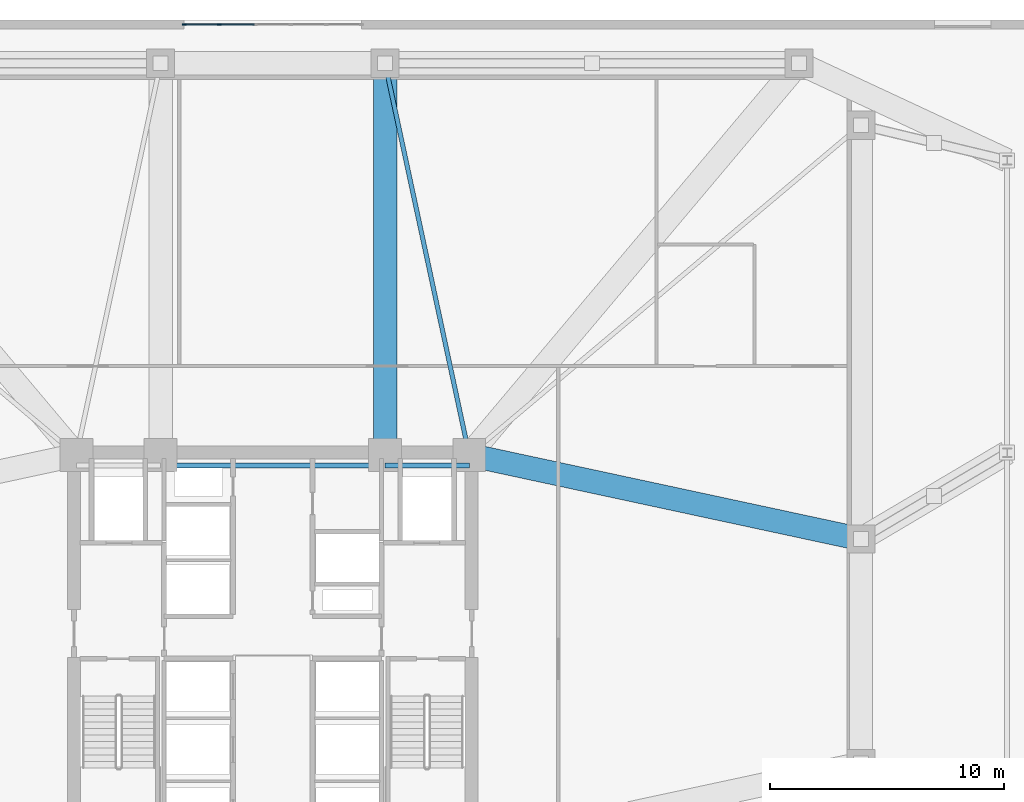
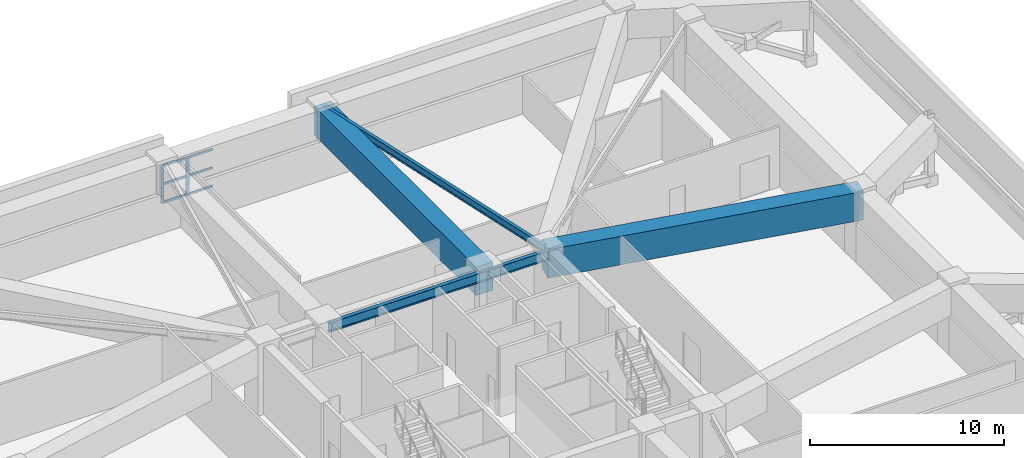
# One storey, part 7 of 19: 8 members, 5 beams, 1 element without a shape of its own.
"""IFC4 building model written with IfcOpenShell, lengths in metres."""

from ifc_helpers import new_model, si_unit, direction, frame, origin, origin_2d, place, context, subcontext, project, spatial, rectangle, i_section, extrude, material, layer, layer_set, material_profile, profile_set, type_object, element, aggregate, save


model = new_model("IFC4")

# Units and contexts
model_context = context("Model", 3, precision=1e-05, world=origin(), true_north=direction((0.0, 1.0)))
body_context = subcontext(model_context, "Body", "Model", "MODEL_VIEW")
ifc_project = project(units=[si_unit("LENGTHUNIT", "METRE"), si_unit("AREAUNIT", "SQUARE_METRE"), si_unit("VOLUMEUNIT", "CUBIC_METRE"), si_unit("PLANEANGLEUNIT", "RADIAN"), si_unit("MASSUNIT", "GRAM", prefix="KILO")], contexts=[model_context])

# Site, building, storey
site_placement = place(None, origin())
site = spatial("IfcSite", under=ifc_project, at=site_placement, CompositionType="ELEMENT")
building_placement = place(site_placement, origin())
building = spatial("IfcBuilding", under=site, at=building_placement, Name="Cairnveth Concourse Tower", CompositionType="ELEMENT")
storey_placement = place(building_placement, frame((0.0, 0.0, 19.0)))
storey = spatial("IfcBuildingStorey", under=building, at=storey_placement, Name="L04", CompositionType="ELEMENT", Elevation=19.0)

# Curtain wall, members
ifc_material_1 = material(Name="Architectural Bronze Anodised Aluminium 6063-T6", Category="aluminium")
ifc_layer = layer(ifc_material_1, 0.340087890625)
ifc_layer_set = layer_set([ifc_layer], Name="Architectural Bronze Anodised Aluminium 6063-T6")
curtain_wall_type = type_object("IfcCurtainWallType", Name="BALLROOM FOYER UNITISED CURTAIN WALL", PredefinedType="USERDEFINED", material=ifc_layer_set)
curtain_wall_placement = place(storey_placement, origin())
curtain_wall = element("IfcCurtainWall", 1, at=curtain_wall_placement, inside=storey, type_object=curtain_wall_type, Name="Curtain Wall CW-L04-N1", ObjectType="UNITISED FACADE", PredefinedType="USERDEFINED")
ifc_material_profile_1 = material_profile(ifc_material_1, rectangle(XDim=0.06494140625, YDim=0.179931640625, at=origin_2d()), Name="AL-MUL-65x180")
ifc_profile_set_1 = profile_set([ifc_material_profile_1], Name="Architectural Bronze Anodised Aluminium 6063-T6")
member_type_1 = type_object("IfcMemberType", Name="BRONZE CURTAIN WALL MULLION AL-MUL-65x180", PredefinedType="MULLION", material=ifc_profile_set_1)
member_1_placement = place(storey_placement, frame((48.217529296875, 65.81005859375, 0.0), z_axis=(0.0, 0.0, 1.0), x_axis=(0.0, 1.0, 0.0)))
member_1 = element("IfcMember", 2, at=member_1_placement, type_object=member_type_1, Name="CWS3 mullion 1", PredefinedType="MULLION", context=body_context, shape_type="SweptSolid", body=[
    extrude(rectangle(XDim=0.06494140625, YDim=0.179931640625, at=origin_2d()), origin(), (0.0, 0.0, 1.0), 2.3798828125),
])
member_2_placement = place(storey_placement, frame((49.7109375, 65.81005859375, 0.0), z_axis=(0.0, 0.0, 1.0), x_axis=(0.0, 1.0, 0.0)))
member_2 = element("IfcMember", 3, at=member_2_placement, type_object=member_type_1, Name="CWS3 mullion 2", PredefinedType="MULLION", context=body_context, shape_type="SweptSolid", body=[
    extrude(rectangle(XDim=0.06494140625, YDim=0.179931640625, at=origin_2d()), origin(), (0.0, 0.0, 1.0), 2.3798828125),
])
ifc_material_profile_2 = material_profile(ifc_material_1, rectangle(XDim=0.06494140625, YDim=0.139892578125, at=origin_2d()), Name="AL-TRN-65x140")
ifc_profile_set_2 = profile_set([ifc_material_profile_2], Name="Architectural Bronze Anodised Aluminium 6063-T6")
member_type_2 = type_object("IfcMemberType", Name="BRONZE CURTAIN WALL TRANSOM AL-TRN-65x140", PredefinedType="USERDEFINED", material=ifc_profile_set_2)
member_3_placement = place(storey_placement, frame((48.25, 65.81005859375, 0.032470703125), z_axis=(1.0, 0.0, 0.0), x_axis=(0.0, 1.0, 0.0)))
member_3 = element("IfcMember", 4, at=member_3_placement, type_object=member_type_2, Name="CWS3 transom 1.1", ObjectType="TRANSOM", PredefinedType="USERDEFINED", context=body_context, shape_type="SweptSolid", body=[
    extrude(rectangle(XDim=0.06494140625, YDim=0.139892578125, at=origin_2d()), origin(), (0.0, 0.0, 1.0), 1.428466796875),
])
member_4_placement = place(storey_placement, frame((48.25, 65.81005859375, 1.18994140625), z_axis=(1.0, 0.0, 0.0), x_axis=(0.0, 1.0, 0.0)))
member_4 = element("IfcMember", 5, at=member_4_placement, type_object=member_type_2, Name="CWS3 transom 1.2", ObjectType="TRANSOM", PredefinedType="USERDEFINED", context=body_context, shape_type="SweptSolid", body=[
    extrude(rectangle(XDim=0.06494140625, YDim=0.139892578125, at=origin_2d()), origin(), (0.0, 0.0, 1.0), 1.428466796875),
])
member_5_placement = place(storey_placement, frame((48.25, 65.81005859375, 2.347412109375), z_axis=(1.0, 0.0, 0.0), x_axis=(0.0, 1.0, 0.0)))
member_5 = element("IfcMember", 6, at=member_5_placement, type_object=member_type_2, Name="CWS3 transom 1.3", ObjectType="TRANSOM", PredefinedType="USERDEFINED", context=body_context, shape_type="SweptSolid", body=[
    extrude(rectangle(XDim=0.06494140625, YDim=0.139892578125, at=origin_2d()), origin(), (0.0, 0.0, 1.0), 1.428466796875),
])
member_6_placement = place(storey_placement, frame((49.743408203125, 65.81005859375, 0.032470703125), z_axis=(1.0, 0.0, 0.0), x_axis=(0.0, 1.0, 0.0)))
member_6 = element("IfcMember", 7, at=member_6_placement, type_object=member_type_2, Name="CWS3 transom 2.1", ObjectType="TRANSOM", PredefinedType="USERDEFINED", context=body_context, shape_type="SweptSolid", body=[
    extrude(rectangle(XDim=0.06494140625, YDim=0.139892578125, at=origin_2d()), origin(), (0.0, 0.0, 1.0), 1.461181640625),
])
member_7_placement = place(storey_placement, frame((49.743408203125, 65.81005859375, 1.18994140625), z_axis=(1.0, 0.0, 0.0), x_axis=(0.0, 1.0, 0.0)))
member_7 = element("IfcMember", 8, at=member_7_placement, type_object=member_type_2, Name="CWS3 transom 2.2", ObjectType="TRANSOM", PredefinedType="USERDEFINED", context=body_context, shape_type="SweptSolid", body=[
    extrude(rectangle(XDim=0.06494140625, YDim=0.139892578125, at=origin_2d()), origin(), (0.0, 0.0, 1.0), 1.461181640625),
])
member_8_placement = place(storey_placement, frame((49.743408203125, 65.81005859375, 2.347412109375), z_axis=(1.0, 0.0, 0.0), x_axis=(0.0, 1.0, 0.0)))
member_8 = element("IfcMember", 9, at=member_8_placement, type_object=member_type_2, Name="CWS3 transom 2.3", ObjectType="TRANSOM", PredefinedType="USERDEFINED", context=body_context, shape_type="SweptSolid", body=[
    extrude(rectangle(XDim=0.06494140625, YDim=0.139892578125, at=origin_2d()), origin(), (0.0, 0.0, 1.0), 1.461181640625),
])
aggregate(curtain_wall, [member_1, member_2, member_3, member_4, member_5, member_6, member_7, member_8])

# Beams
ifc_material_2 = material(Name="Concrete N65 (65 MPa)", Category="concrete")
ifc_material_profile_3 = material_profile(ifc_material_2, rectangle(XDim=1.0, YDim=1.800048828125, at=origin_2d()), Name="RC-TB-1000x1800")
ifc_profile_set_3 = profile_set([ifc_material_profile_3], Name="Concrete N65 (65 MPa)")
beam_type_1 = type_object("IfcBeamType", Name="CONCRETE TRANSFER GIRDER 1000X1800", PredefinedType="BEAM", material=ifc_profile_set_3)
beam_1_placement = place(storey_placement, frame((60.39990234375, 47.39990234375, 3.3798828125), z_axis=(0.977675861524, -0.210118799239, 0.0), x_axis=(0.210118799239, 0.977675861524, 0.0)))
element("IfcBeam", 10, at=beam_1_placement, inside=storey, type_object=beam_type_1, Name="Beam PG-E2 L04", PredefinedType="BEAM", context=body_context, shape_type="SweptSolid", body=[
    extrude(rectangle(XDim=1.0, YDim=1.800048828125, at=origin_2d()), origin(), (0.0, 0.0, 1.0), 17.132568359375),
])
beam_2_placement = place(storey_placement, frame((56.800048828125, 47.39990234375, 3.3798828125), z_axis=(0.0, 1.0, 0.0), x_axis=(-1.0, 0.0, 0.0)))
element("IfcBeam", 11, at=beam_2_placement, inside=storey, type_object=beam_type_1, Name="Beam PG-N2 L04", PredefinedType="BEAM", context=body_context, shape_type="SweptSolid", body=[
    extrude(rectangle(XDim=1.0, YDim=1.800048828125, at=origin_2d()), origin(), (0.0, 0.0, 1.0), 16.75),
])
ifc_material_3 = material(Name="Steel Grade 350", Category="steel")
ifc_material_profile_4 = material_profile(ifc_material_3, i_section(OverallWidth=0.22802734375, OverallDepth=0.60693359375, WebThickness=0.01123046875, FlangeThickness=0.017333984375, FilletRadius=0.013916015625, at=origin_2d()), Name="610UB113")
ifc_profile_set_4 = profile_set([ifc_material_profile_4], Name="Steel Grade 350")
beam_type_2 = type_object("IfcBeamType", Name="CORE TIE BEAM 610UB113", PredefinedType="T_BEAM", material=ifc_profile_set_4)
beam_3_placement = place(storey_placement, frame((56.800048828125, 46.949951171875, 3.9765625), z_axis=(1.0, 0.0, 0.0), x_axis=(0.0, 1.0, 0.0)))
element("IfcBeam", 12, at=beam_3_placement, inside=storey, type_object=beam_type_2, Name="Beam CT-N3 L04", PredefinedType="T_BEAM", context=body_context, shape_type="SweptSolid", body=[
    extrude(i_section(OverallWidth=0.22802734375, OverallDepth=0.60693359375, WebThickness=0.01123046875, FlangeThickness=0.017333984375, FilletRadius=0.013916015625, at=origin_2d()), origin(), (0.0, 0.0, 1.0), 3.599853515625),
])
beam_4_placement = place(storey_placement, frame((47.199951171875, 46.949951171875, 3.9765625), z_axis=(1.0, 0.0, 0.0), x_axis=(0.0, 1.0, 0.0)))
element("IfcBeam", 13, at=beam_4_placement, inside=storey, type_object=beam_type_2, Name="Beam CT-N2 L04", PredefinedType="T_BEAM", context=body_context, shape_type="SweptSolid", body=[
    extrude(i_section(OverallWidth=0.22802734375, OverallDepth=0.60693359375, WebThickness=0.01123046875, FlangeThickness=0.017333984375, FilletRadius=0.013916015625, at=origin_2d()), origin(), (0.0, 0.0, 1.0), 9.60009765625),
])
ifc_material_profile_5 = material_profile(ifc_material_3, i_section(OverallWidth=0.18994140625, OverallDepth=0.45703125, WebThickness=0.009033203125, FlangeThickness=0.014404296875, FilletRadius=0.010986328125, at=origin_2d()), Name="460UB74.6")
ifc_profile_set_5 = profile_set([ifc_material_profile_5], Name="Steel Grade 350")
beam_type_3 = type_object("IfcBeamType", Name="PODIUM FLOOR JOIST 460UB74.6", PredefinedType="JOIST", material=ifc_profile_set_5)
beam_5_placement = place(storey_placement, frame((60.39990234375, 47.39990234375, 4.051513671875), z_axis=(-0.210118799239, 0.977675861524, 0.0), x_axis=(-0.977675861524, -0.210118799239, 0.0)))
element("IfcBeam", 14, at=beam_5_placement, inside=storey, type_object=beam_type_3, Name="Beam PJ-N-X2 L04", PredefinedType="JOIST", context=body_context, shape_type="SweptSolid", body=[
    extrude(i_section(OverallWidth=0.18994140625, OverallDepth=0.45703125, WebThickness=0.009033203125, FlangeThickness=0.014404296875, FilletRadius=0.010986328125, at=origin_2d()), origin(), (0.0, 0.0, 1.0), 17.132568359375),
])

save(model, "model.ifc")
